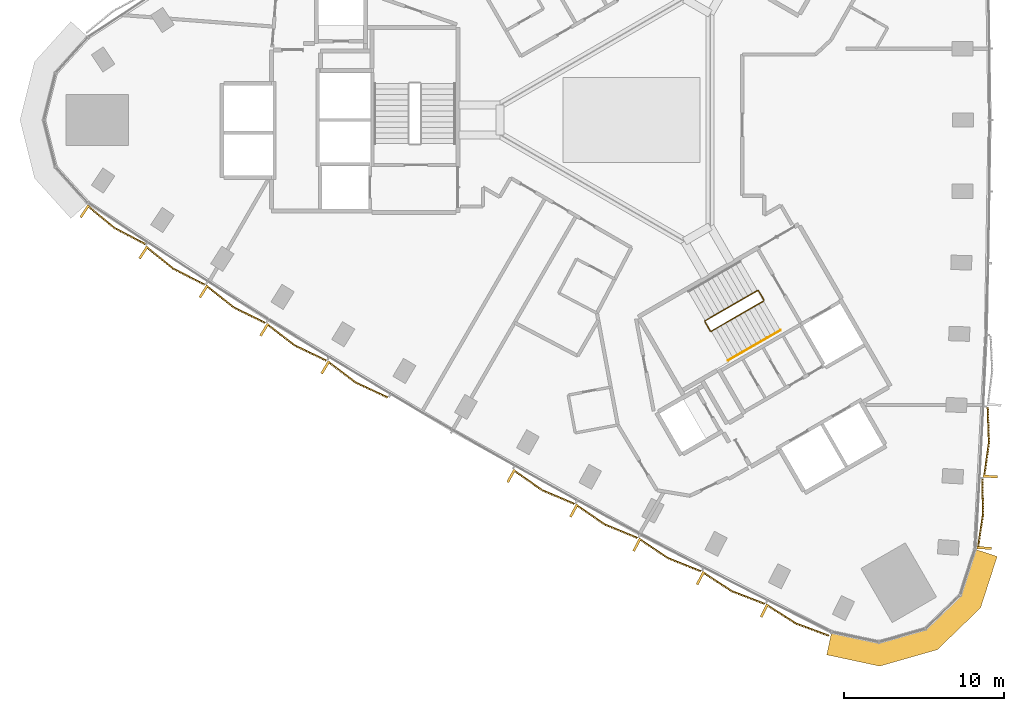
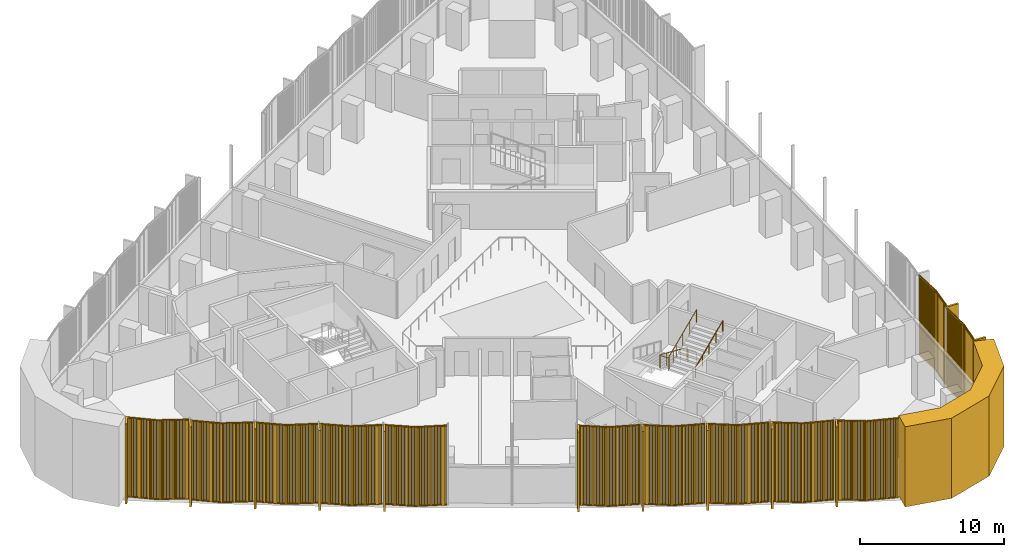
# One storey, part 12 of 15: 13 coverings, 2 railings.
"""IFC4 building model written with IfcOpenShell, lengths in metres."""

from ifc_helpers import new_model, si_unit, direction, frame, frame_2d, origin, origin_2d, place, context, subcontext, project, spatial, polyline, rectangle, circle, outline, extrude, source, transform, mapped, material, layer, layer_set, type_object, element, save


model = new_model("IFC4")

# Units and contexts
model_context = context("Model", 3, precision=1e-05, world=origin(), true_north=direction((0.0, 1.0)))
body_context = subcontext(model_context, "Body", "Model", "MODEL_VIEW")
ifc_project = project(units=[si_unit("LENGTHUNIT", "METRE"), si_unit("AREAUNIT", "SQUARE_METRE"), si_unit("VOLUMEUNIT", "CUBIC_METRE"), si_unit("PLANEANGLEUNIT", "RADIAN"), si_unit("MASSUNIT", "GRAM", prefix="KILO")], contexts=[model_context])

# Site, building, storey
site_placement = place(None, origin())
site = spatial("IfcSite", under=ifc_project, at=site_placement, CompositionType="ELEMENT")
building_placement = place(site_placement, origin())
building = spatial("IfcBuilding", under=site, at=building_placement, Name="Tamra Quay Hotel Tower", CompositionType="ELEMENT")
storey_placement = place(building_placement, frame((0.0, 0.0, 79.39990234375)))
storey = spatial("IfcBuildingStorey", under=building, at=storey_placement, Name="L18", CompositionType="ELEMENT", Elevation=79.39990234375)

# Covering
ifc_material_1 = material(Name="Precast concrete M60 terracotta-coloured", Category="masonry")
ifc_layer = layer(ifc_material_1, 1.449951171875)
ifc_layer_set = layer_set([ifc_layer], Name="CORNER PIER PANEL")
covering_type_1 = type_object("IfcCoveringType", Name="CORNER PIER PANEL", PredefinedType="CLADDING", material=ifc_layer_set)
covering_placement = place(storey_placement, origin())
element("IfcCovering", 1, at=covering_placement, inside=storey, type_object=covering_type_1, Name="Corner pier L18.south-west", PredefinedType="CLADDING", context=body_context, shape_type="SweptSolid", body=[
    extrude(outline(polyline([(12.46875, -31.928466796875), (12.16552734375, -33.34619140625), (15.469482421875, -34.052978515625), (19.066162109375, -33.0234375), (21.756103515625, -30.423583984375), (22.7958984375, -27.208740234375), (21.41650390625, -26.762451171875), (20.48779296875, -29.6328125), (18.31884765625, -31.729248046875), (15.418701171875, -32.559326171875), (12.46875, -31.928466796875)])), origin(), (0.0, 0.0, 1.0), 6.775146484375),
])

# Railings
ifc_material_2 = material(Name="Stair guard 1100")
railing_type_1 = type_object("IfcRailingType", Name="Stair guard 1100", PredefinedType="GUARDRAIL", material=ifc_material_2)
railing_1_placement = place(storey_placement, frame((8.245849609375, -11.221923828125, 0.0)))
element("IfcRailing", 2, at=railing_1_placement, inside=storey, type_object=railing_type_1, Name="GR", PredefinedType="GUARDRAIL", context=body_context, shape_type="SweptSolid", body=[
    extrude(circle(Radius=0.02392578125, at=origin_2d()), frame((0.0, 0.0, 1.076171875), z_axis=(-0.500043078269, 0.866000531106, 0.0), x_axis=(-0.866000531106, -0.500043078269, 0.0)), (0.0, 0.0, 1.0), 0.6591796875),
    extrude(circle(Radius=0.02392578125, at=origin_2d()), frame((-0.32958984375, 0.57080078125, 1.076171875), z_axis=(-0.411831509231, 0.110312011401, 0.90455849349), x_axis=(-0.258736085224, -0.965948051503, 0.0)), (0.0, 0.0, 1.0), 0.166015625),
    extrude(circle(Radius=0.02392578125, at=origin_2d()), frame((-0.39794921875, 0.589111328125, 1.22607421875), z_axis=(-0.793100512587, -0.457912285461, 0.401631567183), x_axis=(0.500012686397, -0.866018079166, 0.0)), (0.0, 0.0, 1.0), 4.10791015625),
    extrude(circle(Radius=0.02392578125, at=origin_2d()), frame((-3.656005859375, -1.2919921875, 2.8759765625), z_axis=(-0.256368644879, -0.966579080015, 0.0), x_axis=(0.966579080015, -0.256368644879, 0.0)), (0.0, 0.0, 1.0), 0.070556640625),
    extrude(circle(Radius=0.02392578125, at=origin_2d()), frame((-3.674072265625, -1.360107421875, 2.8759765625), z_axis=(0.499765215335, -0.866160914346, 0.0), x_axis=(0.866160914346, 0.499765215335, 0.0)), (0.0, 0.0, 1.0), 0.658935546875),
    extrude(circle(Radius=0.02392578125, at=origin_2d()), frame((-3.3447265625, -1.930908203125, 2.8759765625), z_axis=(0.411831509231, -0.110312011401, 0.90455849349), x_axis=(0.258736085224, 0.965948051503, 0.0)), (0.0, 0.0, 1.0), 0.166015625),
    extrude(circle(Radius=0.02392578125, at=origin_2d()), frame((-3.2763671875, -1.94921875, 3.0263671875), z_axis=(0.793100512587, 0.457912285461, 0.401631567183), x_axis=(-0.500012686397, 0.866018079166, 0.0)), (0.0, 0.0, 1.0), 4.10791015625),
    extrude(circle(Radius=0.02099609375, at=origin_2d()), origin(), (0.0, 0.0, 1.0), 1.052001953125),
    extrude(circle(Radius=0.02099609375, at=origin_2d()), frame((-0.32958984375, 0.57080078125, 0.0)), (0.0, 0.0, 1.0), 1.052001953125),
    extrude(circle(Radius=0.02099609375, at=origin_2d()), frame((-0.39794921875, 0.589111328125, 0.150146484375)), (0.0, 0.0, 1.0), 1.052001953125),
    extrude(circle(Radius=0.02099609375, at=origin_2d()), frame((-1.21240234375, 0.118896484375, 0.5625)), (0.0, 0.0, 1.0), 1.052001953125),
    extrude(circle(Radius=0.02099609375, at=origin_2d()), frame((-2.02685546875, -0.3515625, 0.97509765625)), (0.0, 0.0, 1.0), 1.052001953125),
    extrude(circle(Radius=0.02099609375, at=origin_2d()), frame((-2.841552734375, -0.82177734375, 1.3876953125)), (0.0, 0.0, 1.0), 1.052001953125),
    extrude(circle(Radius=0.02099609375, at=origin_2d()), frame((-3.656005859375, -1.2919921875, 1.800048828125)), (0.0, 0.0, 1.0), 1.052001953125),
    extrude(circle(Radius=0.02099609375, at=origin_2d()), frame((-3.674072265625, -1.360107421875, 1.800048828125)), (0.0, 0.0, 1.0), 1.052001953125),
    extrude(circle(Radius=0.02099609375, at=origin_2d()), frame((-3.3447265625, -1.930908203125, 1.800048828125)), (0.0, 0.0, 1.0), 1.052001953125),
    extrude(circle(Radius=0.02099609375, at=origin_2d()), frame((-3.2763671875, -1.94921875, 1.9501953125)), (0.0, 0.0, 1.0), 1.052001953125),
    extrude(circle(Radius=0.02099609375, at=origin_2d()), frame((-2.4619140625, -1.47900390625, 2.36279296875)), (0.0, 0.0, 1.0), 1.052001953125),
    extrude(circle(Radius=0.02099609375, at=origin_2d()), frame((-1.6474609375, -1.0087890625, 2.775146484375)), (0.0, 0.0, 1.0), 1.052001953125),
    extrude(circle(Radius=0.02099609375, at=origin_2d()), frame((-0.832763671875, -0.538330078125, 3.1875)), (0.0, 0.0, 1.0), 1.052001953125),
    extrude(circle(Radius=0.02099609375, at=origin_2d()), frame((-0.018310546875, -0.068115234375, 3.60009765625)), (0.0, 0.0, 1.0), 1.052001953125),
])
ifc_material_3 = material(Name="Stair handrail 900")
railing_type_2 = type_object("IfcRailingType", Name="Stair handrail 900", PredefinedType="HANDRAIL", material=ifc_material_3)
railing_2_placement = place(storey_placement, frame((6.01953125, -14.98974609375, 1.9501953125)))
element("IfcRailing", 3, at=railing_2_placement, inside=storey, type_object=railing_type_2, Name="HR", PredefinedType="HANDRAIL", context=body_context, shape_type="SweptSolid", body=[
    extrude(circle(Radius=0.02392578125, at=origin_2d()), frame((0.0, 0.0, 0.8759765625), z_axis=(0.79310004713, 0.457886897714, 0.401661429744), x_axis=(-0.499992114976, 0.866029956157, 0.0)), (0.0, 0.0, 1.0), 4.107666015625),
    extrude(circle(Radius=0.02099609375, at=origin_2d()), origin(), (0.0, 0.0, 1.0), 0.851806640625),
    extrude(circle(Radius=0.02099609375, at=origin_2d()), frame((0.814453125, 0.47021484375, 0.41259765625)), (0.0, 0.0, 1.0), 0.851806640625),
    extrude(circle(Radius=0.02099609375, at=origin_2d()), frame((1.62890625, 0.9404296875, 0.824951171875)), (0.0, 0.0, 1.0), 0.851806640625),
    extrude(circle(Radius=0.02099609375, at=origin_2d()), frame((2.443359375, 1.41064453125, 1.2373046875)), (0.0, 0.0, 1.0), 0.851806640625),
    extrude(circle(Radius=0.02099609375, at=origin_2d()), frame((3.2578125, 1.880859375, 1.64990234375)), (0.0, 0.0, 1.0), 0.851806640625),
])

# Coverings
ifc_material_4 = material(Name="Terracotta baguette extruded", Category="masonry")
covering_type_2 = type_object("IfcCoveringType", Name="BAGUETTE SCREEN E-V H6775", PredefinedType="USERDEFINED", material=ifc_material_4)
shared_shape_1 = source(origin(), body_context, "Body", "SweptSolid", [
    extrude(rectangle(XDim=2.200927734375, YDim=0.06005859375, at=frame_2d((1.1005859375, 0.030029296875))), frame((-2.19775390625, -0.057861328125, -0.1201171875), z_axis=(0.0, 0.0, 1.0), x_axis=(0.996194698092, -0.087155742748, 0.0)), (0.0, 0.0, 1.0), 0.1201171875),
    extrude(rectangle(XDim=2.200927734375, YDim=0.06005859375, at=frame_2d((1.1005859375, 0.030029296875))), frame((-2.19775390625, -0.057861328125, -6.77490234375), z_axis=(0.0, 0.0, 1.0), x_axis=(0.996194698092, -0.087155742748, 0.0)), (0.0, 0.0, 1.0), 0.1201171875),
    extrude(rectangle(XDim=0.070068359375, YDim=0.10009765625, at=frame_2d((0.03515625, 0.050048828125))), frame((-2.177734375, -0.13232421875, -6.715087890625)), (0.0, 0.0, 1.0), 6.655029296875),
    extrude(rectangle(XDim=0.070068359375, YDim=0.10009765625, at=frame_2d((0.03515625, 0.050048828125))), frame((-2.078125, -0.14111328125, -6.715087890625)), (0.0, 0.0, 1.0), 6.655029296875),
    extrude(rectangle(XDim=0.070068359375, YDim=0.10009765625, at=frame_2d((0.03515625, 0.050048828125))), frame((-1.978271484375, -0.14990234375, -6.715087890625)), (0.0, 0.0, 1.0), 6.655029296875),
    extrude(rectangle(XDim=0.070068359375, YDim=0.10009765625, at=frame_2d((0.03515625, 0.050048828125))), frame((-1.878662109375, -0.158447265625, -6.715087890625)), (0.0, 0.0, 1.0), 6.655029296875),
    extrude(rectangle(XDim=0.070068359375, YDim=0.10009765625, at=frame_2d((0.03515625, 0.050048828125))), frame((-1.779052734375, -0.167236328125, -6.715087890625)), (0.0, 0.0, 1.0), 6.655029296875),
    extrude(rectangle(XDim=0.070068359375, YDim=0.10009765625, at=frame_2d((0.03515625, 0.050048828125))), frame((-1.679443359375, -0.176025390625, -6.715087890625)), (0.0, 0.0, 1.0), 6.655029296875),
    extrude(rectangle(XDim=0.070068359375, YDim=0.10009765625, at=frame_2d((0.03515625, 0.050048828125))), frame((-1.579833984375, -0.1845703125, -6.715087890625)), (0.0, 0.0, 1.0), 6.655029296875),
    extrude(rectangle(XDim=0.070068359375, YDim=0.10009765625, at=frame_2d((0.03515625, 0.050048828125))), frame((-1.47998046875, -0.193359375, -6.715087890625)), (0.0, 0.0, 1.0), 6.655029296875),
    extrude(rectangle(XDim=0.070068359375, YDim=0.10009765625, at=frame_2d((0.03515625, 0.050048828125))), frame((-1.38037109375, -0.2021484375, -6.715087890625)), (0.0, 0.0, 1.0), 6.655029296875),
    extrude(rectangle(XDim=0.070068359375, YDim=0.10009765625, at=frame_2d((0.03515625, 0.050048828125))), frame((-1.28076171875, -0.2109375, -6.715087890625)), (0.0, 0.0, 1.0), 6.655029296875),
    extrude(rectangle(XDim=0.070068359375, YDim=0.10009765625, at=frame_2d((0.03515625, 0.050048828125))), frame((-1.18115234375, -0.219482421875, -6.715087890625)), (0.0, 0.0, 1.0), 6.655029296875),
    extrude(rectangle(XDim=0.070068359375, YDim=0.10009765625, at=frame_2d((0.03515625, 0.050048828125))), frame((-1.081298828125, -0.228271484375, -6.715087890625)), (0.0, 0.0, 1.0), 6.655029296875),
    extrude(rectangle(XDim=0.070068359375, YDim=0.10009765625, at=frame_2d((0.03515625, 0.050048828125))), frame((-0.981689453125, -0.237060546875, -6.715087890625)), (0.0, 0.0, 1.0), 6.655029296875),
    extrude(rectangle(XDim=0.070068359375, YDim=0.10009765625, at=frame_2d((0.03515625, 0.050048828125))), frame((-0.882080078125, -0.24560546875, -6.715087890625)), (0.0, 0.0, 1.0), 6.655029296875),
    extrude(rectangle(XDim=0.070068359375, YDim=0.10009765625, at=frame_2d((0.03515625, 0.050048828125))), frame((-0.782470703125, -0.25439453125, -6.715087890625)), (0.0, 0.0, 1.0), 6.655029296875),
    extrude(rectangle(XDim=0.070068359375, YDim=0.10009765625, at=frame_2d((0.03515625, 0.050048828125))), frame((-0.682861328125, -0.26318359375, -6.715087890625)), (0.0, 0.0, 1.0), 6.655029296875),
    extrude(rectangle(XDim=0.070068359375, YDim=0.10009765625, at=frame_2d((0.03515625, 0.050048828125))), frame((-0.583251953125, -0.27197265625, -6.715087890625)), (0.0, 0.0, 1.0), 6.655029296875),
    extrude(rectangle(XDim=0.070068359375, YDim=0.10009765625, at=frame_2d((0.03515625, 0.050048828125))), frame((-0.4833984375, -0.280517578125, -6.715087890625)), (0.0, 0.0, 1.0), 6.655029296875),
    extrude(rectangle(XDim=0.070068359375, YDim=0.10009765625, at=frame_2d((0.03515625, 0.050048828125))), frame((-0.3837890625, -0.289306640625, -6.715087890625)), (0.0, 0.0, 1.0), 6.655029296875),
    extrude(rectangle(XDim=0.070068359375, YDim=0.10009765625, at=frame_2d((0.03515625, 0.050048828125))), frame((-0.2841796875, -0.298095703125, -6.715087890625)), (0.0, 0.0, 1.0), 6.655029296875),
    extrude(rectangle(XDim=0.070068359375, YDim=0.10009765625, at=frame_2d((0.03515625, 0.050048828125))), frame((-0.1845703125, -0.306640625, -6.715087890625)), (0.0, 0.0, 1.0), 6.655029296875),
    extrude(rectangle(XDim=0.070068359375, YDim=0.10009765625, at=frame_2d((0.03515625, 0.050048828125))), frame((-0.084716796875, -0.3154296875, -6.715087890625)), (0.0, 0.0, 1.0), 6.655029296875),
    extrude(rectangle(XDim=2.200927734375, YDim=0.06005859375, at=frame_2d((1.1005859375, 0.030029296875))), frame((0.005126953125, -0.24951171875, -0.1201171875), z_axis=(0.0, 0.0, 1.0), x_axis=(0.996194698092, 0.087155742748, 0.0)), (0.0, 0.0, 1.0), 0.1201171875),
    extrude(rectangle(XDim=2.200927734375, YDim=0.06005859375, at=frame_2d((1.1005859375, 0.030029296875))), frame((0.005126953125, -0.24951171875, -6.77490234375), z_axis=(0.0, 0.0, 1.0), x_axis=(0.996194698092, 0.087155742748, 0.0)), (0.0, 0.0, 1.0), 0.1201171875),
    extrude(rectangle(XDim=0.070068359375, YDim=0.10009765625, at=frame_2d((0.03515625, 0.050048828125))), frame((0.014892578125, -0.3154296875, -6.715087890625)), (0.0, 0.0, 1.0), 6.655029296875),
    extrude(rectangle(XDim=0.070068359375, YDim=0.10009765625, at=frame_2d((0.03515625, 0.050048828125))), frame((0.114501953125, -0.306640625, -6.715087890625)), (0.0, 0.0, 1.0), 6.655029296875),
    extrude(rectangle(XDim=0.070068359375, YDim=0.10009765625, at=frame_2d((0.03515625, 0.050048828125))), frame((0.214111328125, -0.298095703125, -6.715087890625)), (0.0, 0.0, 1.0), 6.655029296875),
    extrude(rectangle(XDim=0.070068359375, YDim=0.10009765625, at=frame_2d((0.03515625, 0.050048828125))), frame((0.313720703125, -0.289306640625, -6.715087890625)), (0.0, 0.0, 1.0), 6.655029296875),
    extrude(rectangle(XDim=0.070068359375, YDim=0.10009765625, at=frame_2d((0.03515625, 0.050048828125))), frame((0.41357421875, -0.280517578125, -6.715087890625)), (0.0, 0.0, 1.0), 6.655029296875),
    extrude(rectangle(XDim=0.070068359375, YDim=0.10009765625, at=frame_2d((0.03515625, 0.050048828125))), frame((0.51318359375, -0.27197265625, -6.715087890625)), (0.0, 0.0, 1.0), 6.655029296875),
    extrude(rectangle(XDim=0.070068359375, YDim=0.10009765625, at=frame_2d((0.03515625, 0.050048828125))), frame((0.61279296875, -0.26318359375, -6.715087890625)), (0.0, 0.0, 1.0), 6.655029296875),
    extrude(rectangle(XDim=0.070068359375, YDim=0.10009765625, at=frame_2d((0.03515625, 0.050048828125))), frame((0.71240234375, -0.25439453125, -6.715087890625)), (0.0, 0.0, 1.0), 6.655029296875),
    extrude(rectangle(XDim=0.070068359375, YDim=0.10009765625, at=frame_2d((0.03515625, 0.050048828125))), frame((0.81201171875, -0.24560546875, -6.715087890625)), (0.0, 0.0, 1.0), 6.655029296875),
    extrude(rectangle(XDim=0.070068359375, YDim=0.10009765625, at=frame_2d((0.03515625, 0.050048828125))), frame((0.911865234375, -0.237060546875, -6.715087890625)), (0.0, 0.0, 1.0), 6.655029296875),
    extrude(rectangle(XDim=0.070068359375, YDim=0.10009765625, at=frame_2d((0.03515625, 0.050048828125))), frame((1.011474609375, -0.228271484375, -6.715087890625)), (0.0, 0.0, 1.0), 6.655029296875),
    extrude(rectangle(XDim=0.070068359375, YDim=0.10009765625, at=frame_2d((0.03515625, 0.050048828125))), frame((1.111083984375, -0.219482421875, -6.715087890625)), (0.0, 0.0, 1.0), 6.655029296875),
    extrude(rectangle(XDim=0.070068359375, YDim=0.10009765625, at=frame_2d((0.03515625, 0.050048828125))), frame((1.210693359375, -0.2109375, -6.715087890625)), (0.0, 0.0, 1.0), 6.655029296875),
    extrude(rectangle(XDim=0.070068359375, YDim=0.10009765625, at=frame_2d((0.03515625, 0.050048828125))), frame((1.310302734375, -0.2021484375, -6.715087890625)), (0.0, 0.0, 1.0), 6.655029296875),
    extrude(rectangle(XDim=0.070068359375, YDim=0.10009765625, at=frame_2d((0.03515625, 0.050048828125))), frame((1.41015625, -0.193359375, -6.715087890625)), (0.0, 0.0, 1.0), 6.655029296875),
    extrude(rectangle(XDim=0.070068359375, YDim=0.10009765625, at=frame_2d((0.03515625, 0.050048828125))), frame((1.509765625, -0.1845703125, -6.715087890625)), (0.0, 0.0, 1.0), 6.655029296875),
    extrude(rectangle(XDim=0.070068359375, YDim=0.10009765625, at=frame_2d((0.03515625, 0.050048828125))), frame((1.609375, -0.176025390625, -6.715087890625)), (0.0, 0.0, 1.0), 6.655029296875),
    extrude(rectangle(XDim=0.070068359375, YDim=0.10009765625, at=frame_2d((0.03515625, 0.050048828125))), frame((1.708984375, -0.167236328125, -6.715087890625)), (0.0, 0.0, 1.0), 6.655029296875),
    extrude(rectangle(XDim=0.070068359375, YDim=0.10009765625, at=frame_2d((0.03515625, 0.050048828125))), frame((1.80859375, -0.158447265625, -6.715087890625)), (0.0, 0.0, 1.0), 6.655029296875),
    extrude(rectangle(XDim=0.070068359375, YDim=0.10009765625, at=frame_2d((0.03515625, 0.050048828125))), frame((1.908447265625, -0.14990234375, -6.715087890625)), (0.0, 0.0, 1.0), 6.655029296875),
    extrude(rectangle(XDim=0.070068359375, YDim=0.10009765625, at=frame_2d((0.03515625, 0.050048828125))), frame((2.008056640625, -0.14111328125, -6.715087890625)), (0.0, 0.0, 1.0), 6.655029296875),
    extrude(rectangle(XDim=0.070068359375, YDim=0.10009765625, at=frame_2d((0.03515625, 0.050048828125))), frame((2.107666015625, -0.13232421875, -6.715087890625)), (0.0, 0.0, 1.0), 6.655029296875),
    extrude(rectangle(XDim=0.14990234375, YDim=0.902099609375, at=frame_2d((0.074951171875, 0.451171875))), frame((-2.1923828125, -0.89990234375, -6.77490234375)), (0.0, 0.0, 1.0), 6.77490234375),
])
for number, where, z_axis, x_axis, name in (
    (4, (21.6640625, -24.5419921875, 6.775146484375), (0.0, 0.0, 1.0), (0.062670105733, 0.998034296929, 0.0), "Baguette screen L18.E.f00"),
    (5, (22.0283203125, -20.090087890625, 6.775146484375), (0.0, 0.0, 1.0), (0.051320550821, 0.998682232276, 0.0), "Baguette screen L18.E.f01"),
):
    element("IfcCovering", number, at=place(storey_placement, frame(where, z_axis=z_axis, x_axis=x_axis)), inside=storey, type_object=covering_type_2, Name=name, ObjectType="BAGUETTE SCREEN", PredefinedType="USERDEFINED", context=body_context, shape_type="MappedRepresentation", body=[
        mapped(shared_shape_1, transform((0.0, 0.0, 0.0), scale=1.0)),
    ])
covering_type_3 = type_object("IfcCoveringType", Name="BAGUETTE SCREEN SW-V H6775", PredefinedType="USERDEFINED", material=ifc_material_4)
shared_shape_2 = source(origin(), body_context, "Body", "SweptSolid", [
    extrude(rectangle(XDim=2.20458984375, YDim=0.06005859375, at=frame_2d((1.102294921875, 0.030029296875))), frame((-2.19873046875, -0.0576171875, -0.1201171875), z_axis=(0.0, 0.0, 1.0), x_axis=(0.994521895368, -0.104528463268, 0.0)), (0.0, 0.0, 1.0), 0.1201171875),
    extrude(rectangle(XDim=2.20458984375, YDim=0.06005859375, at=frame_2d((1.102294921875, 0.030029296875))), frame((-2.19873046875, -0.0576171875, -6.77490234375), z_axis=(0.0, 0.0, 1.0), x_axis=(0.994521895368, -0.104528463268, 0.0)), (0.0, 0.0, 1.0), 0.1201171875),
    extrude(rectangle(XDim=0.070068359375, YDim=0.10009765625, at=frame_2d((0.03515625, 0.050048828125))), frame((-2.177734375, -0.13330078125, -6.715087890625)), (0.0, 0.0, 1.0), 6.655029296875),
    extrude(rectangle(XDim=0.070068359375, YDim=0.10009765625, at=frame_2d((0.03515625, 0.050048828125))), frame((-2.078125, -0.143798828125, -6.715087890625)), (0.0, 0.0, 1.0), 6.655029296875),
    extrude(rectangle(XDim=0.070068359375, YDim=0.10009765625, at=frame_2d((0.03515625, 0.050048828125))), frame((-1.978271484375, -0.154296875, -6.715087890625)), (0.0, 0.0, 1.0), 6.655029296875),
    extrude(rectangle(XDim=0.070068359375, YDim=0.10009765625, at=frame_2d((0.03515625, 0.050048828125))), frame((-1.878662109375, -0.16455078125, -6.715087890625)), (0.0, 0.0, 1.0), 6.655029296875),
    extrude(rectangle(XDim=0.070068359375, YDim=0.10009765625, at=frame_2d((0.03515625, 0.050048828125))), frame((-1.779052734375, -0.175048828125, -6.715087890625)), (0.0, 0.0, 1.0), 6.655029296875),
    extrude(rectangle(XDim=0.070068359375, YDim=0.10009765625, at=frame_2d((0.03515625, 0.050048828125))), frame((-1.679443359375, -0.185546875, -6.715087890625)), (0.0, 0.0, 1.0), 6.655029296875),
    extrude(rectangle(XDim=0.070068359375, YDim=0.10009765625, at=frame_2d((0.03515625, 0.050048828125))), frame((-1.579833984375, -0.196044921875, -6.715087890625)), (0.0, 0.0, 1.0), 6.655029296875),
    extrude(rectangle(XDim=0.070068359375, YDim=0.10009765625, at=frame_2d((0.03515625, 0.050048828125))), frame((-1.47998046875, -0.20654296875, -6.715087890625)), (0.0, 0.0, 1.0), 6.655029296875),
    extrude(rectangle(XDim=0.070068359375, YDim=0.10009765625, at=frame_2d((0.03515625, 0.050048828125))), frame((-1.38037109375, -0.217041015625, -6.715087890625)), (0.0, 0.0, 1.0), 6.655029296875),
    extrude(rectangle(XDim=0.070068359375, YDim=0.10009765625, at=frame_2d((0.03515625, 0.050048828125))), frame((-1.28076171875, -0.2275390625, -6.715087890625)), (0.0, 0.0, 1.0), 6.655029296875),
    extrude(rectangle(XDim=0.070068359375, YDim=0.10009765625, at=frame_2d((0.03515625, 0.050048828125))), frame((-1.18115234375, -0.238037109375, -6.715087890625)), (0.0, 0.0, 1.0), 6.655029296875),
    extrude(rectangle(XDim=0.070068359375, YDim=0.10009765625, at=frame_2d((0.03515625, 0.050048828125))), frame((-1.081298828125, -0.24853515625, -6.715087890625)), (0.0, 0.0, 1.0), 6.655029296875),
    extrude(rectangle(XDim=0.070068359375, YDim=0.10009765625, at=frame_2d((0.03515625, 0.050048828125))), frame((-0.981689453125, -0.259033203125, -6.715087890625)), (0.0, 0.0, 1.0), 6.655029296875),
    extrude(rectangle(XDim=0.070068359375, YDim=0.10009765625, at=frame_2d((0.03515625, 0.050048828125))), frame((-0.882080078125, -0.26953125, -6.715087890625)), (0.0, 0.0, 1.0), 6.655029296875),
    extrude(rectangle(XDim=0.070068359375, YDim=0.10009765625, at=frame_2d((0.03515625, 0.050048828125))), frame((-0.782470703125, -0.27978515625, -6.715087890625)), (0.0, 0.0, 1.0), 6.655029296875),
    extrude(rectangle(XDim=0.070068359375, YDim=0.10009765625, at=frame_2d((0.03515625, 0.050048828125))), frame((-0.682861328125, -0.290283203125, -6.715087890625)), (0.0, 0.0, 1.0), 6.655029296875),
    extrude(rectangle(XDim=0.070068359375, YDim=0.10009765625, at=frame_2d((0.03515625, 0.050048828125))), frame((-0.583251953125, -0.30078125, -6.715087890625)), (0.0, 0.0, 1.0), 6.655029296875),
    extrude(rectangle(XDim=0.070068359375, YDim=0.10009765625, at=frame_2d((0.03515625, 0.050048828125))), frame((-0.4833984375, -0.311279296875, -6.715087890625)), (0.0, 0.0, 1.0), 6.655029296875),
    extrude(rectangle(XDim=0.070068359375, YDim=0.10009765625, at=frame_2d((0.03515625, 0.050048828125))), frame((-0.3837890625, -0.32177734375, -6.715087890625)), (0.0, 0.0, 1.0), 6.655029296875),
    extrude(rectangle(XDim=0.070068359375, YDim=0.10009765625, at=frame_2d((0.03515625, 0.050048828125))), frame((-0.2841796875, -0.332275390625, -6.715087890625)), (0.0, 0.0, 1.0), 6.655029296875),
    extrude(rectangle(XDim=0.070068359375, YDim=0.10009765625, at=frame_2d((0.03515625, 0.050048828125))), frame((-0.1845703125, -0.3427734375, -6.715087890625)), (0.0, 0.0, 1.0), 6.655029296875),
    extrude(rectangle(XDim=0.070068359375, YDim=0.10009765625, at=frame_2d((0.03515625, 0.050048828125))), frame((-0.084716796875, -0.353271484375, -6.715087890625)), (0.0, 0.0, 1.0), 6.655029296875),
    extrude(rectangle(XDim=2.20458984375, YDim=0.06005859375, at=frame_2d((1.102294921875, 0.030029296875))), frame((0.00634765625, -0.2880859375, -0.1201171875), z_axis=(0.0, 0.0, 1.0), x_axis=(0.994521895368, 0.104528463268, 0.0)), (0.0, 0.0, 1.0), 0.1201171875),
    extrude(rectangle(XDim=2.20458984375, YDim=0.06005859375, at=frame_2d((1.102294921875, 0.030029296875))), frame((0.00634765625, -0.2880859375, -6.77490234375), z_axis=(0.0, 0.0, 1.0), x_axis=(0.994521895368, 0.104528463268, 0.0)), (0.0, 0.0, 1.0), 0.1201171875),
    extrude(rectangle(XDim=0.070068359375, YDim=0.10009765625, at=frame_2d((0.03515625, 0.050048828125))), frame((0.014892578125, -0.353271484375, -6.715087890625)), (0.0, 0.0, 1.0), 6.655029296875),
    extrude(rectangle(XDim=0.070068359375, YDim=0.10009765625, at=frame_2d((0.03515625, 0.050048828125))), frame((0.114501953125, -0.3427734375, -6.715087890625)), (0.0, 0.0, 1.0), 6.655029296875),
    extrude(rectangle(XDim=0.070068359375, YDim=0.10009765625, at=frame_2d((0.03515625, 0.050048828125))), frame((0.214111328125, -0.332275390625, -6.715087890625)), (0.0, 0.0, 1.0), 6.655029296875),
    extrude(rectangle(XDim=0.070068359375, YDim=0.10009765625, at=frame_2d((0.03515625, 0.050048828125))), frame((0.313720703125, -0.32177734375, -6.715087890625)), (0.0, 0.0, 1.0), 6.655029296875),
    extrude(rectangle(XDim=0.070068359375, YDim=0.10009765625, at=frame_2d((0.03515625, 0.050048828125))), frame((0.41357421875, -0.311279296875, -6.715087890625)), (0.0, 0.0, 1.0), 6.655029296875),
    extrude(rectangle(XDim=0.070068359375, YDim=0.10009765625, at=frame_2d((0.03515625, 0.050048828125))), frame((0.51318359375, -0.30078125, -6.715087890625)), (0.0, 0.0, 1.0), 6.655029296875),
    extrude(rectangle(XDim=0.070068359375, YDim=0.10009765625, at=frame_2d((0.03515625, 0.050048828125))), frame((0.61279296875, -0.290283203125, -6.715087890625)), (0.0, 0.0, 1.0), 6.655029296875),
    extrude(rectangle(XDim=0.070068359375, YDim=0.10009765625, at=frame_2d((0.03515625, 0.050048828125))), frame((0.71240234375, -0.27978515625, -6.715087890625)), (0.0, 0.0, 1.0), 6.655029296875),
    extrude(rectangle(XDim=0.070068359375, YDim=0.10009765625, at=frame_2d((0.03515625, 0.050048828125))), frame((0.81201171875, -0.26953125, -6.715087890625)), (0.0, 0.0, 1.0), 6.655029296875),
    extrude(rectangle(XDim=0.070068359375, YDim=0.10009765625, at=frame_2d((0.03515625, 0.050048828125))), frame((0.911865234375, -0.259033203125, -6.715087890625)), (0.0, 0.0, 1.0), 6.655029296875),
    extrude(rectangle(XDim=0.070068359375, YDim=0.10009765625, at=frame_2d((0.03515625, 0.050048828125))), frame((1.011474609375, -0.24853515625, -6.715087890625)), (0.0, 0.0, 1.0), 6.655029296875),
    extrude(rectangle(XDim=0.070068359375, YDim=0.10009765625, at=frame_2d((0.03515625, 0.050048828125))), frame((1.111083984375, -0.238037109375, -6.715087890625)), (0.0, 0.0, 1.0), 6.655029296875),
    extrude(rectangle(XDim=0.070068359375, YDim=0.10009765625, at=frame_2d((0.03515625, 0.050048828125))), frame((1.210693359375, -0.2275390625, -6.715087890625)), (0.0, 0.0, 1.0), 6.655029296875),
    extrude(rectangle(XDim=0.070068359375, YDim=0.10009765625, at=frame_2d((0.03515625, 0.050048828125))), frame((1.310302734375, -0.217041015625, -6.715087890625)), (0.0, 0.0, 1.0), 6.655029296875),
    extrude(rectangle(XDim=0.070068359375, YDim=0.10009765625, at=frame_2d((0.03515625, 0.050048828125))), frame((1.41015625, -0.20654296875, -6.715087890625)), (0.0, 0.0, 1.0), 6.655029296875),
    extrude(rectangle(XDim=0.070068359375, YDim=0.10009765625, at=frame_2d((0.03515625, 0.050048828125))), frame((1.509765625, -0.196044921875, -6.715087890625)), (0.0, 0.0, 1.0), 6.655029296875),
    extrude(rectangle(XDim=0.070068359375, YDim=0.10009765625, at=frame_2d((0.03515625, 0.050048828125))), frame((1.609375, -0.185546875, -6.715087890625)), (0.0, 0.0, 1.0), 6.655029296875),
    extrude(rectangle(XDim=0.070068359375, YDim=0.10009765625, at=frame_2d((0.03515625, 0.050048828125))), frame((1.708984375, -0.175048828125, -6.715087890625)), (0.0, 0.0, 1.0), 6.655029296875),
    extrude(rectangle(XDim=0.070068359375, YDim=0.10009765625, at=frame_2d((0.03515625, 0.050048828125))), frame((1.80859375, -0.16455078125, -6.715087890625)), (0.0, 0.0, 1.0), 6.655029296875),
    extrude(rectangle(XDim=0.070068359375, YDim=0.10009765625, at=frame_2d((0.03515625, 0.050048828125))), frame((1.908447265625, -0.154296875, -6.715087890625)), (0.0, 0.0, 1.0), 6.655029296875),
    extrude(rectangle(XDim=0.070068359375, YDim=0.10009765625, at=frame_2d((0.03515625, 0.050048828125))), frame((2.008056640625, -0.143798828125, -6.715087890625)), (0.0, 0.0, 1.0), 6.655029296875),
    extrude(rectangle(XDim=0.070068359375, YDim=0.10009765625, at=frame_2d((0.03515625, 0.050048828125))), frame((2.107666015625, -0.13330078125, -6.715087890625)), (0.0, 0.0, 1.0), 6.655029296875),
    extrude(rectangle(XDim=0.14990234375, YDim=0.902099609375, at=frame_2d((0.074951171875, 0.451171875))), frame((-2.1923828125, -0.89990234375, -6.77490234375)), (0.0, 0.0, 1.0), 6.77490234375),
])
for number, where, z_axis, x_axis, name in (
    (6, (-32.0859375, -6.49072265625, 6.775146484375), (0.0, 0.0, 1.0), (0.832988002122, -0.553291052088, 0.0), "Baguette screen L18.SW.f00"),
    (7, (-28.41259765625, -9.0322265625, 6.775146484375), (0.0, 0.0, 1.0), (0.839223908048, -0.543786016885, 0.0), "Baguette screen L18.SW.f01"),
    (8, (-24.650634765625, -11.439453125, 6.775146484375), (0.0, 0.0, 1.0), (0.845362377055, -0.534193271635, 0.0), "Baguette screen L18.SW.f02"),
    (9, (-20.861328125, -13.803955078125, 6.775146484375), (0.0, 0.0, 1.0), (0.85139935569, -0.524518004582, 0.0), "Baguette screen L18.SW.f03"),
    (10, (-17.04541015625, -16.124755859375, 6.775146484375), (0.0, 0.0, 1.0), (0.857331324326, -0.514764995245, 0.0), "Baguette screen L18.SW.f04"),
    (11, (-5.44189453125, -22.82421875, 6.775146484375), (0.0, 0.0, 1.0), (0.874465225024, -0.485088208704, 0.0), "Baguette screen L18.SW.f07"),
    (12, (-1.52392578125, -24.96826171875, 6.775146484375), (0.0, 0.0, 1.0), (0.879945594555, -0.475074468502, 0.0), "Baguette screen L18.SW.f08"),
    (13, (2.41845703125, -27.06787109375, 6.775146484375), (0.0, 0.0, 1.0), (0.885306132294, -0.465008658116, 0.0), "Baguette screen L18.SW.f09"),
    (14, (6.38427734375, -29.1220703125, 6.775146484375), (0.0, 0.0, 1.0), (0.89054445887, -0.454896215391, 0.0), "Baguette screen L18.SW.f10"),
    (15, (10.373046875, -31.131103515625, 6.775146484375), (0.0, 0.0, 1.0), (0.895658107856, -0.444743244842, 0.0), "Baguette screen L18.SW.f11"),
):
    element("IfcCovering", number, at=place(storey_placement, frame(where, z_axis=z_axis, x_axis=x_axis)), inside=storey, type_object=covering_type_3, Name=name, ObjectType="BAGUETTE SCREEN", PredefinedType="USERDEFINED", context=body_context, shape_type="MappedRepresentation", body=[
        mapped(shared_shape_2, transform((0.0, 0.0, 0.0), scale=1.0)),
    ])

save(model, "model.ifc")
